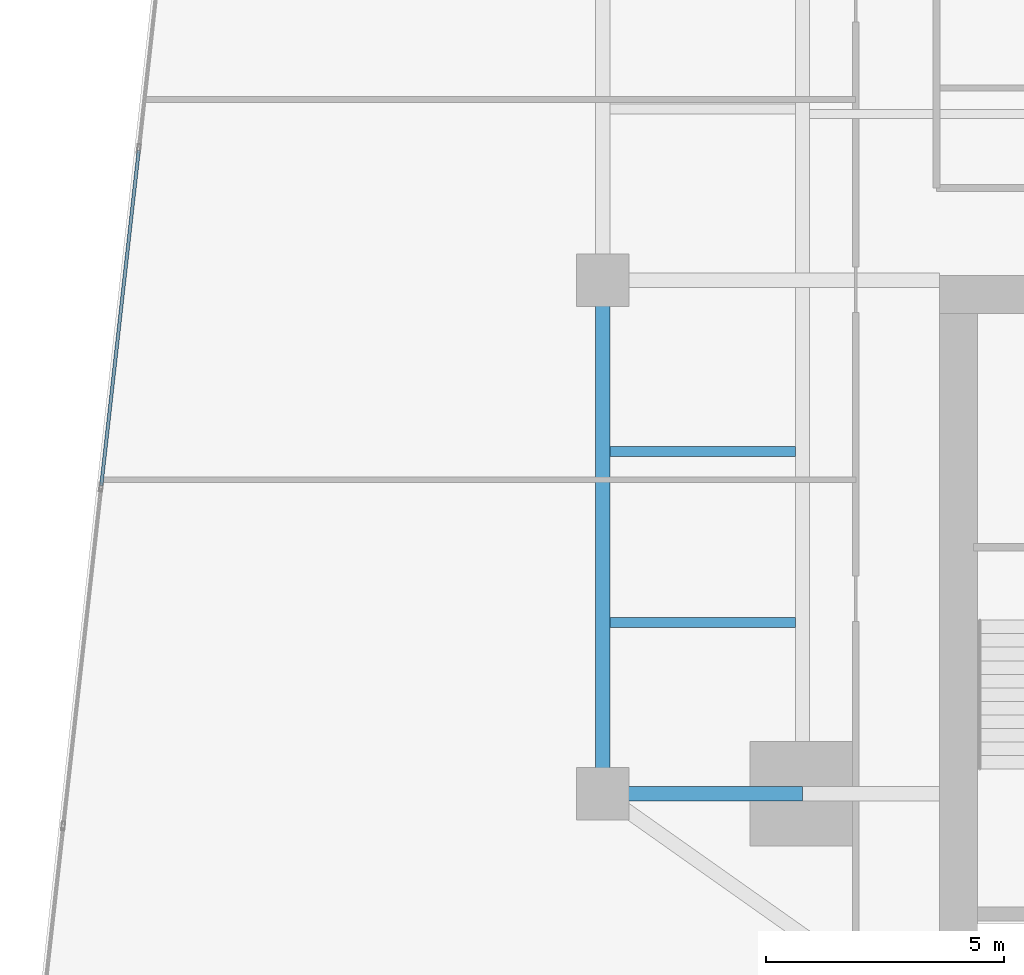
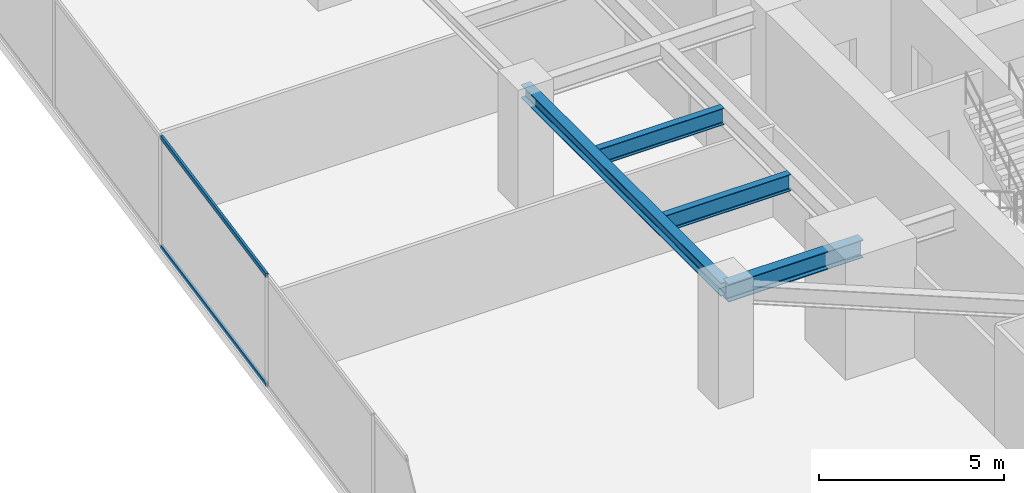
# One storey, part 7 of 28: 4 beams, 2 members, 1 element without a shape of its own.
"""IFC4 building model written with IfcOpenShell, lengths in metres."""

from ifc_helpers import new_model, si_unit, direction, frame, origin, origin_2d, place, context, subcontext, project, spatial, hollow_rectangle, i_section, extrude, source, transform, mapped, material, material_profile, profile_set, type_object, type_shapes, element, aggregate, save


model = new_model("IFC4")

# Units and contexts
model_context = context("Model", 3, precision=1e-05, world=origin(), true_north=direction((0.0, 1.0)))
body_context = subcontext(model_context, "Body", "Model", "MODEL_VIEW")
ifc_project = project(units=[si_unit("LENGTHUNIT", "METRE"), si_unit("AREAUNIT", "SQUARE_METRE"), si_unit("VOLUMEUNIT", "CUBIC_METRE"), si_unit("PLANEANGLEUNIT", "RADIAN"), si_unit("MASSUNIT", "GRAM", prefix="KILO")], contexts=[model_context])

# Site, building, storey
site_placement = place(None, origin())
site = spatial("IfcSite", under=ifc_project, at=site_placement, CompositionType="ELEMENT")
building_placement = place(site_placement, origin())
building = spatial("IfcBuilding", under=site, at=building_placement, Name="Krantzveldt Concourse Tower", CompositionType="ELEMENT")
storey_placement = place(building_placement, frame((0.0, 0.0, 64.5)))
storey = spatial("IfcBuildingStorey", under=building, at=storey_placement, Name="L15", CompositionType="ELEMENT", Elevation=64.5)

# Beams
ifc_material_1 = material(Name="Steel S355JR", Category="steel")
ifc_material_profile_1 = material_profile(ifc_material_1, i_section(OverallWidth=0.300048828125, OverallDepth=0.43994140625, WebThickness=0.011474609375, FlangeThickness=0.02099609375, FilletRadius=0.027099609375, at=origin_2d()), Name="Steel S355JR", Category="steel")
ifc_profile_set_1 = profile_set([ifc_material_profile_1], Name="Steel S355JR - HEA 450")
beam_type_1 = type_object("IfcBeamType", Name="BM-SP-HEA450", PredefinedType="SPANDREL", material=ifc_profile_set_1)
shared_shape_1 = source(origin(), body_context, "Body", "SweptSolid", [
    extrude(i_section(OverallWidth=0.300048828125, OverallDepth=0.43994140625, WebThickness=0.011474609375, FlangeThickness=0.02099609375, FilletRadius=0.027099609375, at=origin_2d()), origin(), (0.0, 0.0, 1.0), 10.800048828125),
])
type_shapes(beam_type_1, [shared_shape_1])
beam_1_placement = place(storey_placement, frame((21.0, 15.89990234375, 3.449951171875), z_axis=(0.0, 1.0, 0.0), x_axis=(-1.0, 0.0, 0.0)))
element("IfcBeam", 1, at=beam_1_placement, inside=storey, type_object=beam_type_1, Name="L15 Tower Girder SP-R01", PredefinedType="SPANDREL", context=body_context, shape_type="MappedRepresentation", body=[
    mapped(shared_shape_1, transform((0.0, 0.0, 0.0), x_axis=(1.0, 0.0, 0.0), y_axis=(0.0, 1.0, 0.0), z_axis=(0.0, 0.0, 1.0), scale=1.0)),
])
ifc_material_profile_2 = material_profile(ifc_material_1, i_section(OverallWidth=0.300048828125, OverallDepth=0.590087890625, WebThickness=0.012939453125, FlangeThickness=0.02490234375, FilletRadius=0.027099609375, at=origin_2d()), Name="Steel S355JR", Category="steel")
ifc_profile_set_2 = profile_set([ifc_material_profile_2], Name="Steel S355JR - HEA 600")
beam_type_2 = type_object("IfcBeamType", Name="BM-B-HEA600", PredefinedType="BEAM", material=ifc_profile_set_2)
shared_shape_2 = source(origin(), body_context, "Body", "SweptSolid", [
    extrude(i_section(OverallWidth=0.300048828125, OverallDepth=0.590087890625, WebThickness=0.012939453125, FlangeThickness=0.02490234375, FilletRadius=0.027099609375, at=origin_2d()), origin(), (0.0, 0.0, 1.0), 4.199951171875),
])
type_shapes(beam_type_2, [shared_shape_2])
beam_2_placement = place(storey_placement, frame((21.0, 15.89990234375, 3.375), z_axis=(1.0, 0.0, 0.0), x_axis=(0.0, 1.0, 0.0)))
element("IfcBeam", 2, at=beam_2_placement, inside=storey, type_object=beam_type_2, Name="L15 Tower Girder BR-RL1", PredefinedType="BEAM", context=body_context, shape_type="MappedRepresentation", body=[
    mapped(shared_shape_2, transform((0.0, 0.0, 0.0), x_axis=(1.0, 0.0, 0.0), y_axis=(0.0, 1.0, 0.0), z_axis=(0.0, 0.0, 1.0), scale=1.0)),
])
ifc_material_profile_3 = material_profile(ifc_material_1, i_section(OverallWidth=0.2099609375, OverallDepth=0.550048828125, WebThickness=0.010986328125, FlangeThickness=0.01708984375, FilletRadius=0.02392578125, at=origin_2d()), Name="Steel S355JR", Category="steel")
ifc_profile_set_3 = profile_set([ifc_material_profile_3], Name="Steel S355JR - IPE 550")
beam_type_3 = type_object("IfcBeamType", Name="BM-J-IPE550", PredefinedType="JOIST", material=ifc_profile_set_3)
shared_shape_3 = source(origin(), body_context, "Body", "SweptSolid", [
    extrude(i_section(OverallWidth=0.2099609375, OverallDepth=0.550048828125, WebThickness=0.010986328125, FlangeThickness=0.01708984375, FilletRadius=0.02392578125, at=origin_2d()), origin(), (0.0, 0.0, 1.0), 3.900146484375),
])
type_shapes(beam_type_3, [shared_shape_3])
for number, where, z_axis, x_axis, name in (
    (3, (21.14990234375, 19.5, 3.39501953125), (1.0, 0.0, 0.0), (0.0, 1.0, 0.0), "L15 Secondary Floor Joist JW-1"),
    (4, (21.14990234375, 23.10009765625, 3.39501953125), (1.0, 0.0, 0.0), (0.0, 1.0, 0.0), "L15 Secondary Floor Joist JW-2"),
):
    element("IfcBeam", number, at=place(storey_placement, frame(where, z_axis=z_axis, x_axis=x_axis)), inside=storey, type_object=beam_type_3, Name=name, PredefinedType="JOIST", context=body_context, shape_type="MappedRepresentation", body=[
        mapped(shared_shape_3, transform((0.0, 0.0, 0.0), x_axis=(1.0, 0.0, 0.0), y_axis=(0.0, 1.0, 0.0), z_axis=(0.0, 0.0, 1.0), scale=1.0)),
    ])

# Curtain wall, members
ifc_material_2 = material(Name="Anodised aluminium 6063-T6", Category="aluminium")
curtain_wall_type = type_object("IfcCurtainWallType", Name="CW2", PredefinedType="USERDEFINED", material=ifc_material_2)
curtain_wall_placement = place(storey_placement, origin())
curtain_wall = element("IfcCurtainWall", 5, at=curtain_wall_placement, inside=storey, type_object=curtain_wall_type, Name="CW-L15-F01", ObjectType="UNITISED CURTAIN WALL", PredefinedType="USERDEFINED")
ifc_material_profile_4 = material_profile(ifc_material_2, hollow_rectangle(XDim=0.070068359375, YDim=0.139892578125, WallThickness=0.0048828125, at=origin_2d()), Name="Anodised aluminium 6063-T6", Category="aluminium")
ifc_profile_set_4 = profile_set([ifc_material_profile_4], Name="Anodised aluminium 6063-T6 - ALU-TRAN 140x70x5")
member_type = type_object("IfcMemberType", Name="CW-TRN-150", PredefinedType="USERDEFINED", material=ifc_profile_set_4)
shared_shape_4 = source(origin(), body_context, "Body", "SweptSolid", [
    extrude(hollow_rectangle(XDim=0.070068359375, YDim=0.139892578125, WallThickness=0.0048828125, at=origin_2d()), origin(), (0.0, 0.0, 1.0), 7.0966796875),
])
type_shapes(member_type, [shared_shape_4])
member_1_placement = place(storey_placement, frame((11.240234375, 29.43115234375, 0.034912109375), z_axis=(-0.111050746722, -0.993814737088, 0.0), x_axis=(0.993814737088, -0.111050746722, 0.0)))
member_1 = element("IfcMember", 6, at=member_1_placement, type_object=member_type, Name="CW-Z12 transom 4.1", ObjectType="TRANSOM", PredefinedType="USERDEFINED", context=body_context, shape_type="MappedRepresentation", body=[
    mapped(shared_shape_4, transform((0.0, 0.0, 0.0), x_axis=(1.0, 0.0, 0.0), y_axis=(0.0, 1.0, 0.0), z_axis=(0.0, 0.0, 1.0), scale=1.0)),
])
member_2_placement = place(storey_placement, frame((11.240234375, 29.43115234375, 3.635009765625), z_axis=(-0.111050746722, -0.993814737088, 0.0), x_axis=(0.993814737088, -0.111050746722, 0.0)))
member_2 = element("IfcMember", 7, at=member_2_placement, type_object=member_type, Name="CW-Z12 transom 4.2", ObjectType="TRANSOM", PredefinedType="USERDEFINED", context=body_context, shape_type="MappedRepresentation", body=[
    mapped(shared_shape_4, transform((0.0, 0.0, 0.0), x_axis=(1.0, 0.0, 0.0), y_axis=(0.0, 1.0, 0.0), z_axis=(0.0, 0.0, 1.0), scale=1.0)),
])
aggregate(curtain_wall, [member_1, member_2])

save(model, "model.ifc")
